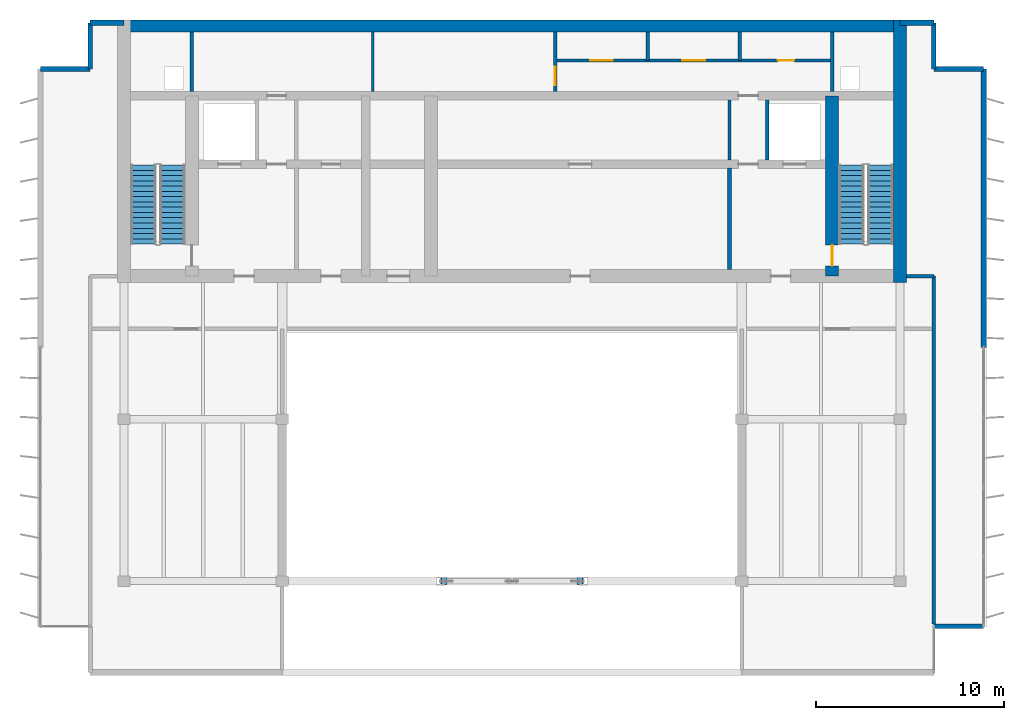
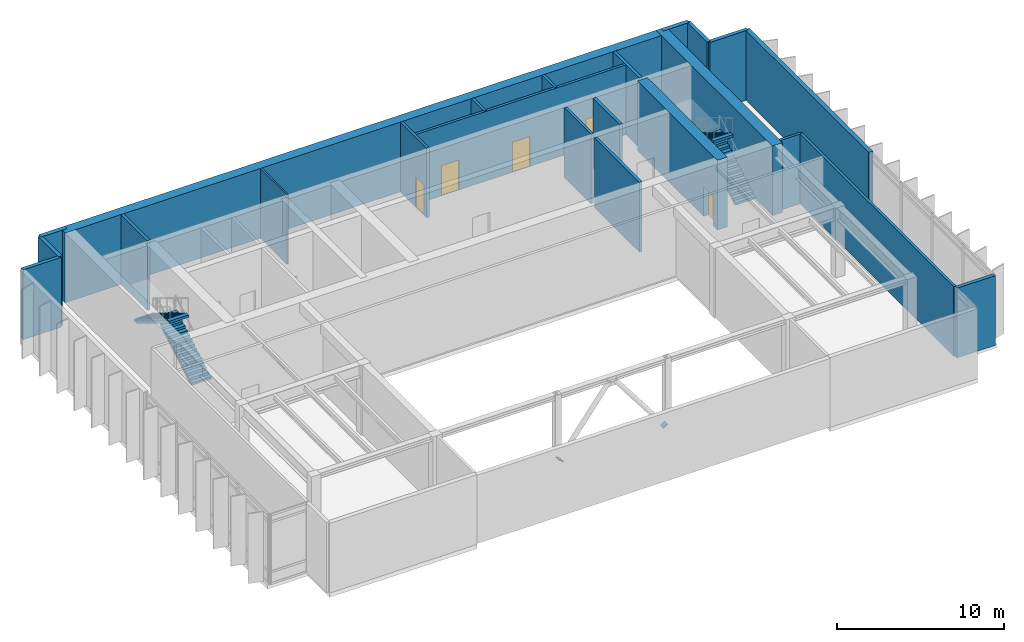
# One storey, part 6 of 9: 23 walls, 5 doors, 4 stair flights, 2 discrete accessories, 5 openings, 2 elements without a shape of their own.
"""IFC4 building model written with IfcOpenShell, lengths in metres."""

from ifc_helpers import new_model, si_unit, direction, frame, frame_2d, origin, place, context, subcontext, project, spatial, polyline, rectangle, outline, extrude, material, layer, layer_set, type_object, element, fill, aggregate, save


model = new_model("IFC4")

# Units and contexts
model_context = context("Model", 3, precision=1e-05, world=origin(), true_north=direction((0.0, 1.0)))
body_context = subcontext(model_context, "Body", "Model", "MODEL_VIEW")
ifc_project = project(units=[si_unit("LENGTHUNIT", "METRE"), si_unit("AREAUNIT", "SQUARE_METRE"), si_unit("VOLUMEUNIT", "CUBIC_METRE"), si_unit("PLANEANGLEUNIT", "RADIAN"), si_unit("MASSUNIT", "GRAM", prefix="KILO")], contexts=[model_context])

# Site, building, storey
site_placement = place(None, origin())
site = spatial("IfcSite", under=ifc_project, at=site_placement, CompositionType="ELEMENT")
building_placement = place(site_placement, origin())
building = spatial("IfcBuilding", under=site, at=building_placement, Name="Caelmar Bay Residences", CompositionType="ELEMENT")
storey_placement = place(building_placement, frame((0.0, 0.0, 290.199951171875)))
storey = spatial("IfcBuildingStorey", under=building, at=storey_placement, Name="L80", CompositionType="ELEMENT", Elevation=290.199951171875)

# Wall
ifc_material_1 = material(Name="Concrete f'c 55 MPa (8,000 psi)", Category="concrete")
ifc_layer_1 = layer(ifc_material_1, 0.699951171875)
ifc_layer_set_1 = layer_set([ifc_layer_1], Name="Concrete f'c 55 MPa (8,000 psi)")
wall_type_1 = type_object("IfcWallType", Name="SW-COR-700", PredefinedType="SHEAR", material=ifc_layer_set_1)
wall_1_placement = place(storey_placement, frame((59.5, 36.64990234375, 0.0), z_axis=(0.0, 0.0, 1.0), x_axis=(0.0, 1.0, 0.0)))
element("IfcWall", 1, at=wall_1_placement, inside=storey, type_object=wall_type_1, Name="L80 Rear Core East Shear Wall", PredefinedType="SHEAR", context=body_context, shape_type="SweptSolid", body=[
    extrude(rectangle(XDim=13.9501953125, YDim=0.699951171875, at=frame_2d((6.97509765625, 0.0))), origin(), (0.0, 0.0, 1.0), 5.10009765625),
])

# Wall, opening, door
wall_2_placement = place(storey_placement, frame((55.89990234375, 37.0, 0.0), z_axis=(0.0, 0.0, 1.0), x_axis=(0.0, 1.0, 0.0)))
wall_2 = element("IfcWall", 2, at=wall_2_placement, inside=storey, type_object=wall_type_1, Name="L80 Core Structural Web Wall ST2W", PredefinedType="SHEAR", context=body_context, shape_type="SweptSolid", body=[
    extrude(rectangle(XDim=9.574951171875, YDim=0.699951171875, at=frame_2d((4.78759765625, 0.0))), origin(), (0.0, 0.0, 1.0), 5.10009765625),
])
opening_1_placement = place(wall_2_placement, frame((0.550048828125, 0.0, 0.0)))
opening_1 = element("IfcOpeningElement", 3, at=opening_1_placement, cuts=wall_2, Name="Opening D-L80-108", PredefinedType="OPENING", context=body_context, shape_type="SweptSolid", body=[
    extrude(rectangle(XDim=1.10009765625, YDim=2.14990234375, at=frame_2d((0.550048828125, 1.074951171875))), frame((0.0, 0.35986328125, 0.0), z_axis=(0.0, -1.0, 0.0), x_axis=(1.0, 0.0, 0.0)), (0.0, 0.0, 1.0), 0.719970703125),
])
ifc_material_2 = material(Name="Fire-rated steel and walnut architectural door assembly", Category="steel")
ifc_layer_2 = layer(ifc_material_2, 0.050048828125)
ifc_layer_set_2 = layer_set([ifc_layer_2], Name="Fire-rated steel and walnut architectural door assembly")
door_type_1 = type_object("IfcDoorType", Name="D-STAIR-1100", OperationType="NOTDEFINED", PredefinedType="DOOR", material=ifc_layer_set_2)
door_1_placement = place(opening_1_placement, origin())
door_1 = element("IfcDoor", 4, at=door_1_placement, inside=storey, type_object=door_type_1, Name="L80 Firefighting Lobby East Door", OperationType="SINGLE_SWING_RIGHT", OverallHeight=2.14990234375, OverallWidth=1.10009765625, PredefinedType="DOOR", context=body_context, shape_type="SweptSolid", body=[
    extrude(rectangle(XDim=1.10009765625, YDim=2.14990234375, at=frame_2d((0.550048828125, 1.074951171875))), frame((0.0, 0.02490234375, 0.0), z_axis=(0.0, -1.0, 0.0), x_axis=(1.0, 0.0, 0.0)), (0.0, 0.0, 1.0), 0.050048828125),
])
fill(opening_1, door_1)

# Wall
ifc_layer_3 = layer(ifc_material_1, 0.64990234375)
ifc_layer_set_3 = layer_set([ifc_layer_3], Name="Concrete f'c 55 MPa (8,000 psi)")
wall_type_2 = type_object("IfcWallType", Name="SW-CORN-650", PredefinedType="SHEAR", material=ifc_layer_set_3)
wall_3_placement = place(storey_placement, frame((17.949951171875, 50.27490234375, 0.0), z_axis=(0.0, 0.0, 1.0), x_axis=(1.0, 0.0, 0.0)))
element("IfcWall", 5, at=wall_3_placement, inside=storey, type_object=wall_type_2, Name="L80 Rear Core North Shear Wall", PredefinedType="SHEAR", context=body_context, shape_type="SweptSolid", body=[
    extrude(rectangle(XDim=41.900146484375, YDim=0.64990234375, at=frame_2d((20.9501953125, 0.0))), origin(), (0.0, 0.0, 1.0), 5.10009765625),
])

# Wall, opening, door
ifc_material_3 = material(Name="Double-stud acoustic fire-rated gypsum partition 180 mm")
ifc_layer_4 = layer(ifc_material_3, 0.179931640625)
ifc_layer_set_4 = layer_set([ifc_layer_4], Name="Double-stud acoustic fire-rated gypsum partition 180 mm")
wall_type_3 = type_object("IfcWallType", Name="W-COR-200", PredefinedType="PARTITIONING", material=ifc_layer_set_4)
wall_4_placement = place(storey_placement, frame((41.199951171875, 46.794921875, 0.0), z_axis=(0.0, 0.0, 1.0), x_axis=(0.0, 1.0, 0.0)))
wall_4 = element("IfcWall", 6, at=wall_4_placement, inside=storey, type_object=wall_type_3, Name="L80 Partition Wall V009", PredefinedType="PARTITIONING", context=body_context, shape_type="SweptSolid", body=[
    extrude(rectangle(XDim=3.16015625, YDim=0.179931640625, at=frame_2d((1.580078125, 0.0))), origin(), (0.0, 0.0, 1.0), 5.10009765625),
])
opening_2_placement = place(wall_4_placement, frame((0.327392578125, 0.0, 0.0)))
opening_2 = element("IfcOpeningElement", 7, at=opening_2_placement, cuts=wall_4, Name="Opening D-L80-116", PredefinedType="OPENING", context=body_context, shape_type="SweptSolid", body=[
    extrude(rectangle(XDim=1.0, YDim=2.199951171875, at=frame_2d((0.5, 1.10009765625))), frame((0.0, 0.099853515625, 0.0), z_axis=(0.0, -1.0, 0.0), x_axis=(1.0, 0.0, 0.0)), (0.0, 0.0, 1.0), 0.199951171875),
])
ifc_layer_5 = layer(ifc_material_2, 0.050048828125)
ifc_layer_set_5 = layer_set([ifc_layer_5], Name="Fire-rated steel and walnut architectural door assembly")
door_type_2 = type_object("IfcDoorType", Name="D-UNIT-1000", OperationType="NOTDEFINED", PredefinedType="DOOR", material=ifc_layer_set_5)
door_2_placement = place(opening_2_placement, origin())
door_2 = element("IfcDoor", 8, at=door_2_placement, inside=storey, type_object=door_type_2, Name="L80 Engineering Control Office Door", OperationType="SINGLE_SWING_RIGHT", OverallHeight=2.199951171875, OverallWidth=1.0, PredefinedType="DOOR", context=body_context, shape_type="SweptSolid", body=[
    extrude(rectangle(XDim=1.0, YDim=2.199951171875, at=frame_2d((0.5, 1.10009765625))), frame((0.0, 0.02490234375, 0.0), z_axis=(0.0, -1.0, 0.0), x_axis=(1.0, 0.0, 0.0)), (0.0, 0.0, 1.0), 0.050048828125),
])
fill(opening_2, door_2)

# Walls
wall_5_placement = place(storey_placement, frame((46.10009765625, 48.449951171875, 0.0), z_axis=(0.0, 0.0, 1.0), x_axis=(0.0, 1.0, 0.0)))
element("IfcWall", 9, at=wall_5_placement, inside=storey, type_object=wall_type_3, Name="L80 Partition Wall V010", PredefinedType="PARTITIONING", context=body_context, shape_type="SweptSolid", body=[
    extrude(rectangle(XDim=1.505126953125, YDim=0.179931640625, at=frame_2d((0.75244140625, 0.0))), origin(), (0.0, 0.0, 1.0), 5.10009765625),
])
wall_6_placement = place(storey_placement, frame((50.449951171875, 43.169921875, 0.0), z_axis=(0.0, 0.0, 1.0), x_axis=(0.0, 1.0, 0.0)))
element("IfcWall", 10, at=wall_6_placement, inside=storey, type_object=wall_type_3, Name="L80 Partition Wall V012", PredefinedType="PARTITIONING", context=body_context, shape_type="SweptSolid", body=[
    extrude(rectangle(XDim=3.18505859375, YDim=0.179931640625, at=frame_2d((1.592529296875, 0.0))), origin(), (0.0, 0.0, 1.0), 5.10009765625),
])
wall_7_placement = place(storey_placement, frame((51.0, 48.449951171875, 0.0), z_axis=(0.0, 0.0, 1.0), x_axis=(0.0, 1.0, 0.0)))
element("IfcWall", 11, at=wall_7_placement, inside=storey, type_object=wall_type_3, Name="L80 Partition Wall V013", PredefinedType="PARTITIONING", context=body_context, shape_type="SweptSolid", body=[
    extrude(rectangle(XDim=1.505126953125, YDim=0.179931640625, at=frame_2d((0.75244140625, 0.0))), origin(), (0.0, 0.0, 1.0), 5.10009765625),
])
wall_8_placement = place(storey_placement, frame((61.300048828125, 18.52001953125, 0.0), z_axis=(0.0, 0.0, 1.0), x_axis=(0.0, 1.0, 0.0)))
element("IfcWall", 12, at=wall_8_placement, inside=storey, type_object=wall_type_3, Name="L80 Partition Wall V018", PredefinedType="PARTITIONING", context=body_context, shape_type="SweptSolid", body=[
    extrude(rectangle(XDim=18.47998046875, YDim=0.179931640625, at=frame_2d((9.239990234375, 0.0))), origin(), (0.0, 0.0, 1.0), 5.10009765625),
])
wall_9_placement = place(storey_placement, frame((59.85498046875, 37.0, 0.0), z_axis=(0.0, 0.0, 1.0), x_axis=(1.0, 0.0, 0.0)))
element("IfcWall", 13, at=wall_9_placement, inside=storey, type_object=wall_type_3, Name="L80 Partition Wall H021", PredefinedType="PARTITIONING", context=body_context, shape_type="SweptSolid", body=[
    extrude(rectangle(XDim=1.445068359375, YDim=0.179931640625, at=frame_2d((0.72265625, 0.0))), origin(), (0.0, 0.0, 1.0), 5.10009765625),
])

# Wall, openings, doors
wall_10_placement = place(storey_placement, frame((41.199951171875, 48.449951171875, 0.0), z_axis=(0.0, 0.0, 1.0), x_axis=(1.0, 0.0, 0.0)))
wall_10 = element("IfcWall", 14, at=wall_10_placement, inside=storey, type_object=wall_type_3, Name="L80 Partition Wall H022", PredefinedType="PARTITIONING", context=body_context, shape_type="SweptSolid", body=[
    extrude(rectangle(XDim=14.699951171875, YDim=0.179931640625, at=frame_2d((7.35009765625, 0.0))), origin(), (0.0, 0.0, 1.0), 5.10009765625),
])
opening_3_placement = place(wall_10_placement, frame((1.85009765625, 0.0, 0.0)))
opening_3 = element("IfcOpeningElement", 15, at=opening_3_placement, cuts=wall_10, Name="Opening D-L80-117", PredefinedType="OPENING", context=body_context, shape_type="SweptSolid", body=[
    extrude(rectangle(XDim=1.199951171875, YDim=2.199951171875, at=frame_2d((0.60009765625, 1.10009765625))), frame((0.0, 0.099853515625, 0.0), z_axis=(0.0, -1.0, 0.0), x_axis=(1.0, 0.0, 0.0)), (0.0, 0.0, 1.0), 0.199951171875),
])
opening_4_placement = place(wall_10_placement, frame((6.75, 0.0, 0.0)))
opening_4 = element("IfcOpeningElement", 16, at=opening_4_placement, cuts=wall_10, Name="Opening D-L80-118", PredefinedType="OPENING", context=body_context, shape_type="SweptSolid", body=[
    extrude(rectangle(XDim=1.199951171875, YDim=2.199951171875, at=frame_2d((0.60009765625, 1.10009765625))), frame((0.0, 0.099853515625, 0.0), z_axis=(0.0, -1.0, 0.0), x_axis=(1.0, 0.0, 0.0)), (0.0, 0.0, 1.0), 0.199951171875),
])
opening_5_placement = place(wall_10_placement, frame((11.824951171875, 0.0, 0.0)))
opening_5 = element("IfcOpeningElement", 17, at=opening_5_placement, cuts=wall_10, Name="Opening D-L80-119", PredefinedType="OPENING", context=body_context, shape_type="SweptSolid", body=[
    extrude(rectangle(XDim=0.85009765625, YDim=2.10009765625, at=frame_2d((0.425048828125, 1.050048828125))), frame((0.0, 0.099853515625, 0.0), z_axis=(0.0, -1.0, 0.0), x_axis=(1.0, 0.0, 0.0)), (0.0, 0.0, 1.0), 0.199951171875),
])
ifc_layer_6 = layer(ifc_material_2, 0.050048828125)
ifc_layer_set_6 = layer_set([ifc_layer_6], Name="Fire-rated steel and walnut architectural door assembly")
door_type_3 = type_object("IfcDoorType", Name="D-CORE-850", OperationType="NOTDEFINED", PredefinedType="DOOR", material=ifc_layer_set_6)
door_3_placement = place(opening_5_placement, origin())
door_3 = element("IfcDoor", 18, at=door_3_placement, inside=storey, type_object=door_type_3, Name="L80 Accessible Staff WC Door", OperationType="SINGLE_SWING_LEFT", OverallHeight=2.10009765625, OverallWidth=0.85009765625, PredefinedType="DOOR", context=body_context, shape_type="SweptSolid", body=[
    extrude(rectangle(XDim=0.85009765625, YDim=2.10009765625, at=frame_2d((0.425048828125, 1.050048828125))), frame((0.0, 0.02490234375, 0.0), z_axis=(0.0, -1.0, 0.0), x_axis=(1.0, 0.0, 0.0)), (0.0, 0.0, 1.0), 0.050048828125),
])
fill(opening_5, door_3)
ifc_layer_7 = layer(ifc_material_2, 0.050048828125)
ifc_layer_set_7 = layer_set([ifc_layer_7], Name="Fire-rated steel and walnut architectural door assembly")
door_type_4 = type_object("IfcDoorType", Name="D-PLANT-1200", OperationType="NOTDEFINED", PredefinedType="DOOR", material=ifc_layer_set_7)
door_4_placement = place(opening_3_placement, origin())
door_4 = element("IfcDoor", 19, at=door_4_placement, inside=storey, type_object=door_type_4, Name="L80 Electrical Closet Door", OperationType="SINGLE_SWING_LEFT", OverallHeight=2.199951171875, OverallWidth=1.199951171875, PredefinedType="DOOR", context=body_context, shape_type="SweptSolid", body=[
    extrude(rectangle(XDim=1.199951171875, YDim=2.199951171875, at=frame_2d((0.60009765625, 1.10009765625))), frame((0.0, 0.02490234375, 0.0), z_axis=(0.0, -1.0, 0.0), x_axis=(1.0, 0.0, 0.0)), (0.0, 0.0, 1.0), 0.050048828125),
])
fill(opening_3, door_4)
door_5_placement = place(opening_4_placement, origin())
door_5 = element("IfcDoor", 20, at=door_5_placement, inside=storey, type_object=door_type_4, Name="L80 Housekeeping Linen Closet Door", OperationType="SINGLE_SWING_RIGHT", OverallHeight=2.199951171875, OverallWidth=1.199951171875, PredefinedType="DOOR", context=body_context, shape_type="SweptSolid", body=[
    extrude(rectangle(XDim=1.199951171875, YDim=2.199951171875, at=frame_2d((0.60009765625, 1.10009765625))), frame((0.0, 0.02490234375, 0.0), z_axis=(0.0, -1.0, 0.0), x_axis=(1.0, 0.0, 0.0)), (0.0, 0.0, 1.0), 0.050048828125),
])
fill(opening_4, door_5)

# Walls
ifc_material_4 = material(Name="Precast concrete f'c 40 MPa (6,000 psi)", Category="concrete")
ifc_layer_8 = layer(ifc_material_4, 0.25)
ifc_layer_set_8 = layer_set([ifc_layer_8], Name="Precast concrete f'c 40 MPa (6,000 psi)")
wall_type_4 = type_object("IfcWallType", Name="W-EXT-250", PredefinedType="ELEMENTEDWALL", material=ifc_layer_set_8)
for number, where, z_axis, x_axis, name in (
    (21, (61.300048828125, 18.39990234375, 0.0), (0.0, 0.0, 1.0), (1.0, 0.0, 0.0), "L80 SE Notch Return Wall"),
    (22, (13.85009765625, 48.0, 0.0), (0.0, 0.0, 1.0), (1.0, 0.0, 0.0), "L80 NNW-H Notch Wall"),
):
    element("IfcWall", number, at=place(storey_placement, frame(where, z_axis=z_axis, x_axis=x_axis)), inside=storey, type_object=wall_type_4, Name=name, PredefinedType="ELEMENTEDWALL", context=body_context, shape_type="SweptSolid", body=[
        extrude(rectangle(XDim=2.64990234375, YDim=0.25, at=frame_2d((1.324951171875, 0.0))), origin(), (0.0, 0.0, 1.0), 5.10009765625),
    ])
for number, where, z_axis, x_axis, name in (
    (23, (16.5, 48.0, 0.0), (0.0, 0.0, 1.0), (0.0, 1.0, 0.0), "L80 NNW-V Notch Wall"),
    (24, (61.300048828125, 50.449951171875, 0.0), (0.0, 0.0, 1.0), (0.0, -1.0, 0.0), "L80 NNE-V Notch Wall"),
):
    element("IfcWall", number, at=place(storey_placement, frame(where, z_axis=z_axis, x_axis=x_axis)), inside=storey, type_object=wall_type_4, Name=name, PredefinedType="ELEMENTEDWALL", context=body_context, shape_type="SweptSolid", body=[
        extrude(rectangle(XDim=2.449951171875, YDim=0.25, at=frame_2d((1.22509765625, 0.0))), origin(), (0.0, 0.0, 1.0), 5.10009765625),
    ])
wall_11_placement = place(storey_placement, frame((61.300048828125, 48.0, 0.0), z_axis=(0.0, 0.0, 1.0), x_axis=(1.0, 0.0, 0.0)))
element("IfcWall", 25, at=wall_11_placement, inside=storey, type_object=wall_type_4, Name="L80 NNE-H Notch Wall", PredefinedType="ELEMENTEDWALL", context=body_context, shape_type="SweptSolid", body=[
    extrude(rectangle(XDim=2.64990234375, YDim=0.25, at=frame_2d((1.324951171875, 0.0))), origin(), (0.0, 0.0, 1.0), 5.10009765625),
])
ifc_layer_9 = layer(ifc_material_4, 0.300048828125)
ifc_layer_set_9 = layer_set([ifc_layer_9], Name="Precast concrete f'c 40 MPa (6,000 psi)")
wall_type_5 = type_object("IfcWallType", Name="W-EXT-300", PredefinedType="STANDARD", material=ifc_layer_set_9)
wall_12_placement = place(storey_placement, frame((63.949951171875, 48.0, 0.0), z_axis=(0.0, 0.0, 1.0), x_axis=(0.0, -1.0, 0.0)))
element("IfcWall", 26, at=wall_12_placement, inside=storey, type_object=wall_type_5, Name="L80 East Rear Exterior Wall", PredefinedType="STANDARD", context=body_context, shape_type="SweptSolid", body=[
    extrude(rectangle(XDim=14.800048828125, YDim=0.300048828125, at=frame_2d((7.39990234375, 0.0))), origin(), (0.0, 0.0, 1.0), 5.10009765625),
])
for number, where, z_axis, x_axis, name in (
    (27, (16.5, 50.449951171875, 0.0), (0.0, 0.0, 1.0), (1.0, 0.0, 0.0), "L80 North-West Wing Exterior Wall"),
    (28, (59.5, 50.449951171875, 0.0), (0.0, 0.0, 1.0), (1.0, 0.0, 0.0), "L80 North-East Wing Exterior Wall"),
):
    element("IfcWall", number, at=place(storey_placement, frame(where, z_axis=z_axis, x_axis=x_axis)), inside=storey, type_object=wall_type_5, Name=name, PredefinedType="STANDARD", context=body_context, shape_type="SweptSolid", body=[
        extrude(rectangle(XDim=1.800048828125, YDim=0.300048828125, at=frame_2d((0.89990234375, 0.0))), origin(), (0.0, 0.0, 1.0), 5.10009765625),
    ])
ifc_material_5 = material(Name="Fire-rated masonry and gypsum shaftliner assembly 200 mm", Category="masonry")
ifc_layer_10 = layer(ifc_material_5, 0.199951171875)
ifc_layer_set_10 = layer_set([ifc_layer_10], Name="Fire-rated masonry and gypsum shaftliner assembly 200 mm")
wall_type_6 = type_object("IfcWallType", Name="W-FSAE-200", PredefinedType="PARTITIONING", material=ifc_layer_set_10)
wall_13_placement = place(storey_placement, frame((21.89990234375, 46.794921875, 0.0), z_axis=(0.0, 0.0, 1.0), x_axis=(0.0, 1.0, 0.0)))
element("IfcWall", 29, at=wall_13_placement, inside=storey, type_object=wall_type_6, Name="L80 Partition Wall V002", PredefinedType="PARTITIONING", context=body_context, shape_type="SweptSolid", body=[
    extrude(rectangle(XDim=3.16015625, YDim=0.199951171875, at=frame_2d((1.580078125, 0.0))), origin(), (0.0, 0.0, 1.0), 5.10009765625),
])
wall_14_placement = place(storey_placement, frame((50.449951171875, 37.344970703125, 0.0), z_axis=(0.0, 0.0, 1.0), x_axis=(0.0, 1.0, 0.0)))
element("IfcWall", 30, at=wall_14_placement, inside=storey, type_object=wall_type_6, Name="L80 Partition Wall V011", PredefinedType="PARTITIONING", context=body_context, shape_type="SweptSolid", body=[
    extrude(rectangle(XDim=5.385009765625, YDim=0.199951171875, at=frame_2d((2.6923828125, 0.0))), origin(), (0.0, 0.0, 1.0), 5.10009765625),
])
wall_15_placement = place(storey_placement, frame((52.449951171875, 43.169921875, 0.0), z_axis=(0.0, 0.0, 1.0), x_axis=(0.0, 1.0, 0.0)))
element("IfcWall", 31, at=wall_15_placement, inside=storey, type_object=wall_type_6, Name="L80 Partition Wall V016", PredefinedType="PARTITIONING", context=body_context, shape_type="SweptSolid", body=[
    extrude(rectangle(XDim=3.18505859375, YDim=0.199951171875, at=frame_2d((1.592529296875, 0.0))), origin(), (0.0, 0.0, 1.0), 5.10009765625),
])
wall_16_placement = place(storey_placement, frame((55.89990234375, 46.794921875, 0.0), z_axis=(0.0, 0.0, 1.0), x_axis=(0.0, 1.0, 0.0)))
element("IfcWall", 32, at=wall_16_placement, inside=storey, type_object=wall_type_6, Name="L80 Partition Wall V017", PredefinedType="PARTITIONING", context=body_context, shape_type="SweptSolid", body=[
    extrude(rectangle(XDim=3.16015625, YDim=0.199951171875, at=frame_2d((1.580078125, 0.0))), origin(), (0.0, 0.0, 1.0), 5.10009765625),
])
ifc_material_6 = material(Name="Acoustic metal-stud gypsum partition 120 mm")
ifc_layer_11 = layer(ifc_material_6, 0.1201171875)
ifc_layer_set_11 = layer_set([ifc_layer_11], Name="Acoustic metal-stud gypsum partition 120 mm")
wall_type_7 = type_object("IfcWallType", Name="W-PRT-120", PredefinedType="PARTITIONING", material=ifc_layer_set_11)
wall_17_placement = place(storey_placement, frame((31.5, 46.794921875, 0.0), z_axis=(0.0, 0.0, 1.0), x_axis=(0.0, 1.0, 0.0)))
element("IfcWall", 33, at=wall_17_placement, inside=storey, type_object=wall_type_7, Name="L80 Partition Wall V008", PredefinedType="PARTITIONING", context=body_context, shape_type="SweptSolid", body=[
    extrude(rectangle(XDim=3.16015625, YDim=0.1201171875, at=frame_2d((1.580078125, 0.0))), origin(), (0.0, 0.0, 1.0), 5.10009765625),
])

# Stair, stair flights
ifc_material_7 = material(Name="Concrete f'c 40 MPa (6,000 psi)", Category="concrete")
stair_type = type_object("IfcStairType", Name="ST-TAL-170", PredefinedType="HALF_TURN_STAIR", material=ifc_material_7)
stair_1_placement = place(storey_placement, origin())
stair_1 = element("IfcStair", 34, at=stair_1_placement, inside=storey, type_object=stair_type, Name="L80 West Smokeproof Exit Stair ST1", PredefinedType="HALF_TURN_STAIR")
stair_flight_type = type_object("IfcStairFlightType", Name="STF-1400", PredefinedType="STRAIGHT", material=ifc_material_4)
stair_flight_1_placement = place(storey_placement, frame((20.875, 38.699951171875, 0.0), z_axis=(0.0, 0.0, 1.0), x_axis=(0.0, 1.0, 0.0)))
stair_flight_1 = element("IfcStairFlight", 35, at=stair_flight_1_placement, type_object=stair_flight_type, Name="ST1 flight 1", NumberOfRisers=16, NumberOfTreads=15, PredefinedType="STRAIGHT", RiserHeight=0.16875, TreadLength=0.28, context=body_context, shape_type="SweptSolid", body=[
    extrude(outline(polyline([(0.0, 0.0), (0.0, 0.168701171875), (0.280029296875, 0.168701171875), (0.280029296875, 0.33740234375), (0.56005859375, 0.33740234375), (0.56005859375, 0.50634765625), (0.840087890625, 0.50634765625), (0.840087890625, 0.675048828125), (1.1201171875, 0.675048828125), (1.1201171875, 0.84375), (1.39990234375, 0.84375), (1.39990234375, 1.012451171875), (1.679931640625, 1.012451171875), (1.679931640625, 1.18115234375), (1.9599609375, 1.18115234375), (1.9599609375, 1.35009765625), (2.239990234375, 1.35009765625), (2.239990234375, 1.518798828125), (2.52001953125, 1.518798828125), (2.52001953125, 1.6875), (2.800048828125, 1.6875), (2.800048828125, 1.856201171875), (3.080078125, 1.856201171875), (3.080078125, 2.02490234375), (3.360107421875, 2.02490234375), (3.360107421875, 2.19384765625), (3.639892578125, 2.19384765625), (3.639892578125, 2.362548828125), (3.919921875, 2.362548828125), (3.919921875, 2.53125), (4.199951171875, 2.53125), (4.199951171875, 2.699951171875), (4.199951171875, 2.356201171875), (0.29052734375, 0.0), (0.0, 0.0)])), frame((0.0, 0.675048828125, 0.0), z_axis=(0.0, -1.0, 0.0), x_axis=(1.0, 0.0, 0.0)), (0.0, 0.0, 1.0), 1.35009765625),
])
stair_flight_2_placement = place(storey_placement, frame((19.324951171875, 42.89990234375, 2.699951171875), z_axis=(0.0, 0.0, 1.0), x_axis=(0.0, -1.0, 0.0)))
stair_flight_2 = element("IfcStairFlight", 36, at=stair_flight_2_placement, type_object=stair_flight_type, Name="ST1 flight 2", NumberOfRisers=16, NumberOfTreads=15, PredefinedType="STRAIGHT", RiserHeight=0.16875, TreadLength=0.28, context=body_context, shape_type="SweptSolid", body=[
    extrude(outline(polyline([(0.0, 0.0), (0.0, 0.168701171875), (0.280029296875, 0.168701171875), (0.280029296875, 0.33740234375), (0.56005859375, 0.33740234375), (0.56005859375, 0.50634765625), (0.840087890625, 0.50634765625), (0.840087890625, 0.675048828125), (1.1201171875, 0.675048828125), (1.1201171875, 0.84375), (1.39990234375, 0.84375), (1.39990234375, 1.012451171875), (1.679931640625, 1.012451171875), (1.679931640625, 1.18115234375), (1.9599609375, 1.18115234375), (1.9599609375, 1.35009765625), (2.239990234375, 1.35009765625), (2.239990234375, 1.518798828125), (2.52001953125, 1.518798828125), (2.52001953125, 1.6875), (2.800048828125, 1.6875), (2.800048828125, 1.856201171875), (3.080078125, 1.856201171875), (3.080078125, 2.02490234375), (3.360107421875, 2.02490234375), (3.360107421875, 2.19384765625), (3.639892578125, 2.19384765625), (3.639892578125, 2.362548828125), (3.919921875, 2.362548828125), (3.919921875, 2.53125), (4.199951171875, 2.53125), (4.199951171875, 2.699951171875), (4.199951171875, 2.356201171875), (0.29052734375, 0.0), (0.0, 0.0)])), frame((0.0, 0.675048828125, 0.0), z_axis=(0.0, -1.0, 0.0), x_axis=(1.0, 0.0, 0.0)), (0.0, 0.0, 1.0), 1.35009765625),
])
aggregate(stair_1, [stair_flight_1, stair_flight_2])

stair_2_placement = place(storey_placement, origin())
stair_2 = element("IfcStair", 37, at=stair_2_placement, inside=storey, type_object=stair_type, Name="L80 East Smokeproof Exit Stair ST2", PredefinedType="HALF_TURN_STAIR")
stair_flight_3_placement = place(storey_placement, frame((58.47509765625, 38.699951171875, 0.0), z_axis=(0.0, 0.0, 1.0), x_axis=(0.0, 1.0, 0.0)))
stair_flight_3 = element("IfcStairFlight", 38, at=stair_flight_3_placement, type_object=stair_flight_type, Name="ST2 flight 1", NumberOfRisers=16, NumberOfTreads=15, PredefinedType="STRAIGHT", RiserHeight=0.16875, TreadLength=0.28, context=body_context, shape_type="SweptSolid", body=[
    extrude(outline(polyline([(0.0, 0.0), (0.0, 0.168701171875), (0.280029296875, 0.168701171875), (0.280029296875, 0.33740234375), (0.56005859375, 0.33740234375), (0.56005859375, 0.50634765625), (0.840087890625, 0.50634765625), (0.840087890625, 0.675048828125), (1.1201171875, 0.675048828125), (1.1201171875, 0.84375), (1.39990234375, 0.84375), (1.39990234375, 1.012451171875), (1.679931640625, 1.012451171875), (1.679931640625, 1.18115234375), (1.9599609375, 1.18115234375), (1.9599609375, 1.35009765625), (2.239990234375, 1.35009765625), (2.239990234375, 1.518798828125), (2.52001953125, 1.518798828125), (2.52001953125, 1.6875), (2.800048828125, 1.6875), (2.800048828125, 1.856201171875), (3.080078125, 1.856201171875), (3.080078125, 2.02490234375), (3.360107421875, 2.02490234375), (3.360107421875, 2.19384765625), (3.639892578125, 2.19384765625), (3.639892578125, 2.362548828125), (3.919921875, 2.362548828125), (3.919921875, 2.53125), (4.199951171875, 2.53125), (4.199951171875, 2.699951171875), (4.199951171875, 2.356201171875), (0.29052734375, 0.0), (0.0, 0.0)])), frame((0.0, 0.675048828125, 0.0), z_axis=(0.0, -1.0, 0.0), x_axis=(1.0, 0.0, 0.0)), (0.0, 0.0, 1.0), 1.35009765625),
])
stair_flight_4_placement = place(storey_placement, frame((56.925048828125, 42.89990234375, 2.699951171875), z_axis=(0.0, 0.0, 1.0), x_axis=(0.0, -1.0, 0.0)))
stair_flight_4 = element("IfcStairFlight", 39, at=stair_flight_4_placement, type_object=stair_flight_type, Name="ST2 flight 2", NumberOfRisers=16, NumberOfTreads=15, PredefinedType="STRAIGHT", RiserHeight=0.16875, TreadLength=0.28, context=body_context, shape_type="SweptSolid", body=[
    extrude(outline(polyline([(0.0, 0.0), (0.0, 0.168701171875), (0.280029296875, 0.168701171875), (0.280029296875, 0.33740234375), (0.56005859375, 0.33740234375), (0.56005859375, 0.50634765625), (0.840087890625, 0.50634765625), (0.840087890625, 0.675048828125), (1.1201171875, 0.675048828125), (1.1201171875, 0.84375), (1.39990234375, 0.84375), (1.39990234375, 1.012451171875), (1.679931640625, 1.012451171875), (1.679931640625, 1.18115234375), (1.9599609375, 1.18115234375), (1.9599609375, 1.35009765625), (2.239990234375, 1.35009765625), (2.239990234375, 1.518798828125), (2.52001953125, 1.518798828125), (2.52001953125, 1.6875), (2.800048828125, 1.6875), (2.800048828125, 1.856201171875), (3.080078125, 1.856201171875), (3.080078125, 2.02490234375), (3.360107421875, 2.02490234375), (3.360107421875, 2.19384765625), (3.639892578125, 2.19384765625), (3.639892578125, 2.362548828125), (3.919921875, 2.362548828125), (3.919921875, 2.53125), (4.199951171875, 2.53125), (4.199951171875, 2.699951171875), (4.199951171875, 2.356201171875), (0.29052734375, 0.0), (0.0, 0.0)])), frame((0.0, 0.675048828125, 0.0), z_axis=(0.0, -1.0, 0.0), x_axis=(1.0, 0.0, 0.0)), (0.0, 0.0, 1.0), 1.35009765625),
])
aggregate(stair_2, [stair_flight_3, stair_flight_4])

# Discrete accessories
ifc_material_8 = material(Name="Steel ASTM A572 Grade 50", Category="steel")
discrete_accessory_type = type_object("IfcDiscreteAccessoryType", Name="ACC-PRTCAP-45", PredefinedType="USERDEFINED", material=ifc_material_8)
discrete_accessory_1_placement = place(storey_placement, frame((35.46044921875, 20.610107421875, 0.0830078125), z_axis=(0.604513017489, 0.0, 0.796595262154), x_axis=(0.0, 1.0, 0.0)))
element("IfcDiscreteAccessory", 40, at=discrete_accessory_1_placement, inside=storey, type_object=discrete_accessory_type, Name="L80 Hollow-Brace Sealed End-Cap Bracket PLT-PRTCAP-L80-A", ObjectType="BRACKET", PredefinedType="USERDEFINED", context=body_context, shape_type="SweptSolid", body=[
    extrude(outline(polyline([(0.0, 0.0), (0.3798828125, 0.0), (0.3798828125, 0.3800353697578665), (0.0, 0.3800353697578665), (0.0, 0.0)])), origin(), (0.0, 0.0, -1.0), 0.044921875),
])
discrete_accessory_2_placement = place(storey_placement, frame((42.339599609375, 20.989990234375, 0.0830078125), z_axis=(-0.604822486845, 0.0, 0.796360320086), x_axis=(0.0, -1.0, 0.0)))
element("IfcDiscreteAccessory", 41, at=discrete_accessory_2_placement, inside=storey, type_object=discrete_accessory_type, Name="L80 Hollow-Brace Sealed End-Cap Bracket PLT-PRTCAP-L80-B", ObjectType="BRACKET", PredefinedType="USERDEFINED", context=body_context, shape_type="SweptSolid", body=[
    extrude(outline(polyline([(0.0, 0.0), (0.3798828125, 0.0), (0.3798828125, 0.37984091716480484), (0.0, 0.37984091716480484), (0.0, 0.0)])), origin(), (0.0, 0.0, -1.0), 0.044921875),
])

save(model, "model.ifc")
